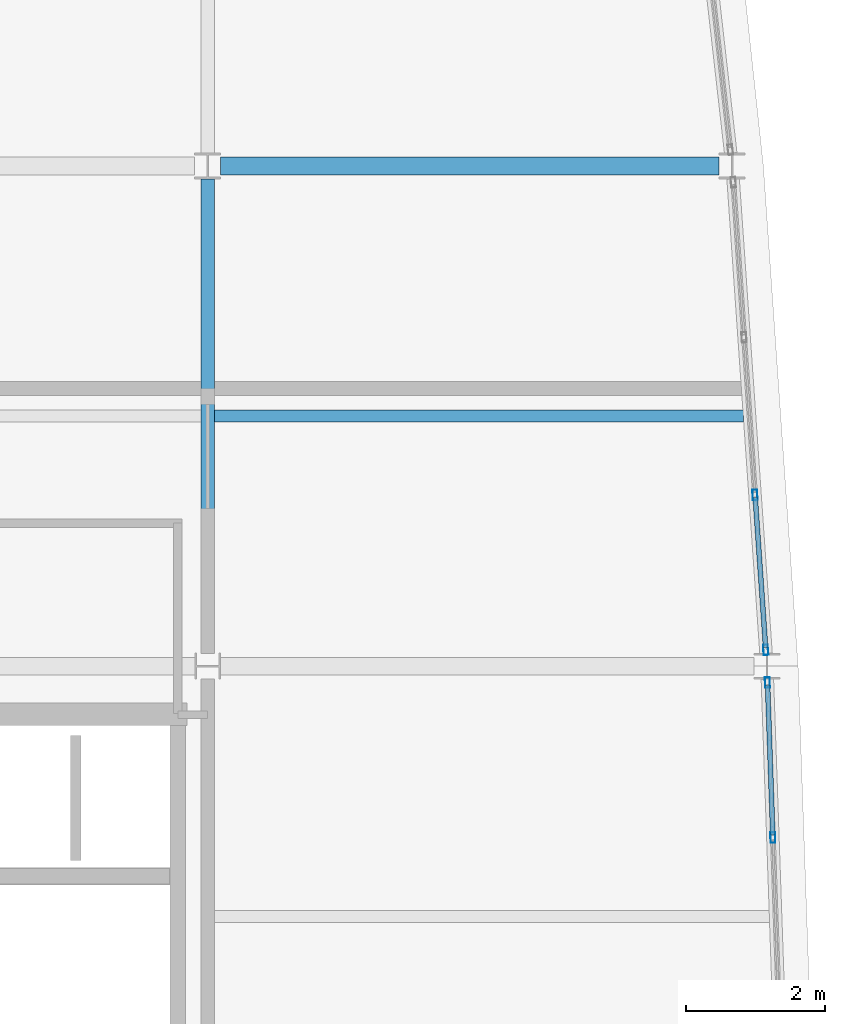
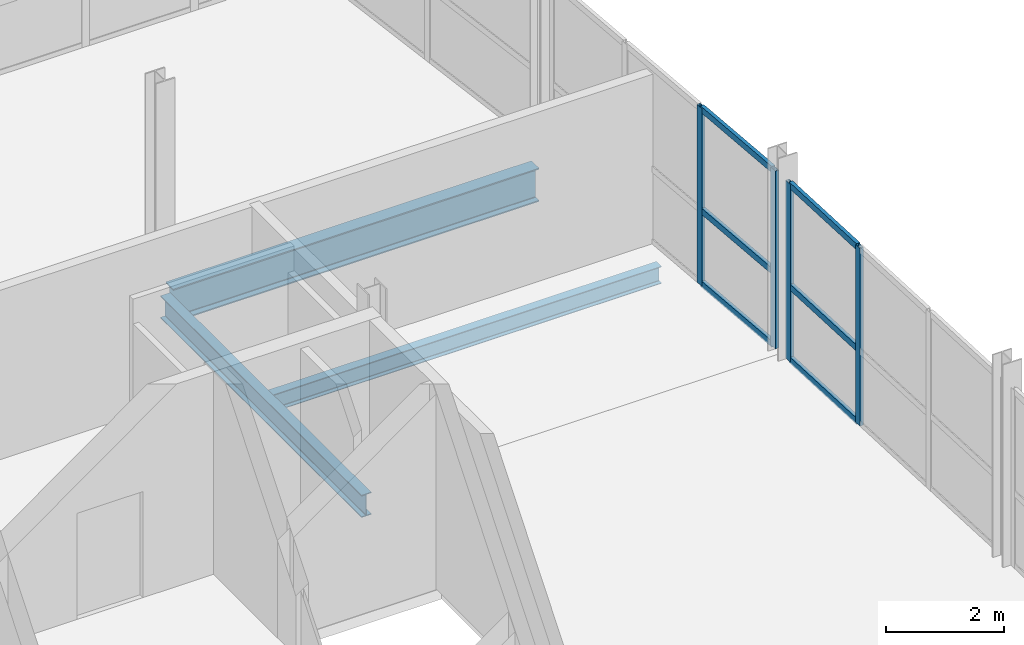
# One storey, part 8 of 20: 10 members, 3 beams, 2 elements without a shape of their own.
"""IFC4 building model written with IfcOpenShell, lengths in metres."""

from ifc_helpers import new_model, si_unit, direction, frame, origin, origin_2d, place, context, subcontext, project, spatial, hollow_rectangle, i_section, extrude, material, layer, layer_set, material_profile, profile_set, type_object, element, aggregate, save


model = new_model("IFC4")

# Units and contexts
model_context = context("Model", 3, precision=1e-05, world=origin(), true_north=direction((0.0, 1.0)))
body_context = subcontext(model_context, "Body", "Model", "MODEL_VIEW")
ifc_project = project(units=[si_unit("LENGTHUNIT", "METRE"), si_unit("AREAUNIT", "SQUARE_METRE"), si_unit("VOLUMEUNIT", "CUBIC_METRE"), si_unit("PLANEANGLEUNIT", "RADIAN"), si_unit("MASSUNIT", "GRAM", prefix="KILO")], contexts=[model_context])

# Site, building, storey
site_placement = place(None, origin())
site = spatial("IfcSite", under=ifc_project, at=site_placement, CompositionType="ELEMENT")
building_placement = place(site_placement, origin())
building = spatial("IfcBuilding", under=site, at=building_placement, Name="Quillay Park Conservatory", CompositionType="ELEMENT")
storey_placement = place(building_placement, frame((0.0, 0.0, 30.89990234375)))
storey = spatial("IfcBuildingStorey", under=building, at=storey_placement, Name="L07", CompositionType="ELEMENT", Elevation=30.89990234375)

# Beam
ifc_material_1 = material(Name="Steel ASTM A992 Grade 50", Category="steel")
ifc_material_profile_1 = material_profile(ifc_material_1, i_section(OverallWidth=0.172119140625, OverallDepth=0.35791015625, WebThickness=0.0078125, FlangeThickness=0.01318359375, FilletRadius=0.010986328125, at=origin_2d()), Name="W360x57")
ifc_profile_set_1 = profile_set([ifc_material_profile_1], Name="Steel ASTM A992 Grade 50")
beam_type_1 = type_object("IfcBeamType", Name="COMPOSITE FLOOR JOIST W360 X57", PredefinedType="JOIST", material=ifc_profile_set_1)
beam_1_placement = place(storey_placement, frame((19.845947265625, 103.199951171875, -0.39892578125), z_axis=(1.0, 0.0, 0.0), x_axis=(0.0, 1.0, 0.0)))
element("IfcBeam", 1, at=beam_1_placement, inside=storey, type_object=beam_type_1, Name="L07 beam BM-J-0575", PredefinedType="JOIST", context=body_context, shape_type="SweptSolid", body=[
    extrude(i_section(OverallWidth=0.172119140625, OverallDepth=0.35791015625, WebThickness=0.0078125, FlangeThickness=0.01318359375, FilletRadius=0.010986328125, at=origin_2d()), origin(), (0.0, 0.0, 1.0), 7.614013671875),
])

# Curtain wall, members
ifc_material_2 = material(Name="Thermally Broken Anodised Aluminium 6063-T6", Category="aluminium")
ifc_layer = layer(ifc_material_2, 0.199951171875)
ifc_layer_set = layer_set([ifc_layer], Name="UNITISED CURTAIN WALL HERBARIUM (Thermally Broken Anodised Aluminium 6063-T6)")
curtain_wall_type = type_object("IfcCurtainWallType", Name="UNITISED CURTAIN WALL HERBARIUM", PredefinedType="USERDEFINED", material=ifc_layer_set)
curtain_wall_1_placement = place(storey_placement, origin())
curtain_wall_1 = element("IfcCurtainWall", 2, at=curtain_wall_1_placement, inside=storey, type_object=curtain_wall_type, Name="L07 Unitised Curtain Wall 072", ObjectType="UNITISED CURTAIN WALL", PredefinedType="USERDEFINED")
ifc_material_3 = material(Name="Thermally Broken Anodised Aluminium 6063-T6", Category="aluminium")
ifc_material_profile_2 = material_profile(ifc_material_3, hollow_rectangle(XDim=0.070068359375, YDim=0.14990234375, WallThickness=0.00341796875, at=origin_2d()), Name="AL70x150x3.5")
ifc_profile_set_2 = profile_set([ifc_material_profile_2], Name="Thermally Broken Anodised Aluminium 6063-T6")
member_type_1 = type_object("IfcMemberType", Name="CURTAIN WALL MULLION 70 X150", PredefinedType="MULLION", material=ifc_profile_set_2)
member_1_placement = place(storey_placement, frame((27.80810546875, 99.365234375, 0.0), z_axis=(0.0, 0.0, 1.0), x_axis=(0.999397310446, 0.034713338537, 0.0)))
member_1 = element("IfcMember", 3, at=member_1_placement, type_object=member_type_1, Name="CW-T2 mullion 1", PredefinedType="MULLION", context=body_context, shape_type="SweptSolid", body=[
    extrude(hollow_rectangle(XDim=0.070068359375, YDim=0.14990234375, WallThickness=0.00341796875, at=origin_2d()), origin(), (0.0, 0.0, 1.0), 3.68701171875),
])
member_2_placement = place(storey_placement, frame((27.8857421875, 97.13330078125, 0.0), z_axis=(0.0, 0.0, 1.0), x_axis=(0.999397310446, 0.034713338537, 0.0)))
member_2 = element("IfcMember", 4, at=member_2_placement, type_object=member_type_1, Name="CW-T2 mullion 2", PredefinedType="MULLION", context=body_context, shape_type="SweptSolid", body=[
    extrude(hollow_rectangle(XDim=0.070068359375, YDim=0.14990234375, WallThickness=0.00341796875, at=origin_2d()), origin(), (0.0, 0.0, 1.0), 3.68701171875),
])

curtain_wall_2_placement = place(storey_placement, origin())
curtain_wall_2 = element("IfcCurtainWall", 5, at=curtain_wall_2_placement, inside=storey, type_object=curtain_wall_type, Name="L07 Unitised Curtain Wall 073", ObjectType="UNITISED CURTAIN WALL", PredefinedType="USERDEFINED")
member_3_placement = place(storey_placement, frame((27.628662109375, 102.06640625, 0.0), z_axis=(0.0, 0.0, 1.0), x_axis=(0.99759835015, 0.069264217159, 0.0)))
member_3 = element("IfcMember", 6, at=member_3_placement, type_object=member_type_1, Name="CW-T2 mullion 3", PredefinedType="MULLION", context=body_context, shape_type="SweptSolid", body=[
    extrude(hollow_rectangle(XDim=0.070068359375, YDim=0.14990234375, WallThickness=0.00341796875, at=origin_2d()), origin(), (0.0, 0.0, 1.0), 3.68701171875),
])
member_4_placement = place(storey_placement, frame((27.78369140625, 99.83447265625, 0.0), z_axis=(0.0, 0.0, 1.0), x_axis=(0.99759835015, 0.069264217159, 0.0)))
member_4 = element("IfcMember", 7, at=member_4_placement, type_object=member_type_1, Name="CW-T2 mullion 4", PredefinedType="MULLION", context=body_context, shape_type="SweptSolid", body=[
    extrude(hollow_rectangle(XDim=0.070068359375, YDim=0.14990234375, WallThickness=0.00341796875, at=origin_2d()), origin(), (0.0, 0.0, 1.0), 3.68701171875),
])

# Member
ifc_material_4 = material(Name="Thermally Broken Anodised Aluminium 6063-T6", Category="aluminium")
ifc_material_profile_3 = material_profile(ifc_material_4, hollow_rectangle(XDim=0.070068359375, YDim=0.1298828125, WallThickness=0.003173828125, at=origin_2d()), Name="AL70x130x3.2")
ifc_profile_set_3 = profile_set([ifc_material_profile_3], Name="Thermally Broken Anodised Aluminium 6063-T6")
member_type_2 = type_object("IfcMemberType", Name="CURTAIN WALL TRANSOM 70 X130", PredefinedType="USERDEFINED", material=ifc_profile_set_3)
member_5_placement = place(storey_placement, frame((27.809326171875, 99.330078125, 0.03515625), z_axis=(0.034765508592, -0.999395496994, 0.0), x_axis=(0.999395496994, 0.034765508592, 0.0)))
member_5 = element("IfcMember", 8, at=member_5_placement, type_object=member_type_2, Name="CW-T2 transom 1.1", ObjectType="TRANSOM", PredefinedType="USERDEFINED", context=body_context, shape_type="SweptSolid", body=[
    extrude(hollow_rectangle(XDim=0.070068359375, YDim=0.1298828125, WallThickness=0.003173828125, at=origin_2d()), origin(), (0.0, 0.0, 1.0), 2.162841796875),
])

member_6_placement = place(storey_placement, frame((27.809326171875, 99.330078125, 1.548583984375), z_axis=(0.034765508592, -0.999395496994, 0.0), x_axis=(0.999395496994, 0.034765508592, 0.0)))
member_6 = element("IfcMember", 9, at=member_6_placement, type_object=member_type_2, Name="CW-T2 transom 1.2", ObjectType="TRANSOM", PredefinedType="USERDEFINED", context=body_context, shape_type="SweptSolid", body=[
    extrude(hollow_rectangle(XDim=0.070068359375, YDim=0.1298828125, WallThickness=0.003173828125, at=origin_2d()), origin(), (0.0, 0.0, 1.0), 2.162841796875),
])

member_7_placement = place(storey_placement, frame((27.809326171875, 99.330078125, 3.652099609375), z_axis=(0.034765508592, -0.999395496994, 0.0), x_axis=(0.999395496994, 0.034765508592, 0.0)))
member_7 = element("IfcMember", 10, at=member_7_placement, type_object=member_type_2, Name="CW-T2 transom 1.3", ObjectType="TRANSOM", PredefinedType="USERDEFINED", context=body_context, shape_type="SweptSolid", body=[
    extrude(hollow_rectangle(XDim=0.070068359375, YDim=0.1298828125, WallThickness=0.003173828125, at=origin_2d()), origin(), (0.0, 0.0, 1.0), 2.162841796875),
])

aggregate(curtain_wall_1, [member_1, member_2, member_5, member_6, member_7])

member_8_placement = place(storey_placement, frame((27.631103515625, 102.031494140625, 0.03515625), z_axis=(0.069277598678, -0.997597420968, 0.0), x_axis=(0.997597420968, 0.069277598678, 0.0)))
member_8 = element("IfcMember", 11, at=member_8_placement, type_object=member_type_2, Name="CW-T2 transom 3.1", ObjectType="TRANSOM", PredefinedType="USERDEFINED", context=body_context, shape_type="SweptSolid", body=[
    extrude(hollow_rectangle(XDim=0.070068359375, YDim=0.1298828125, WallThickness=0.003173828125, at=origin_2d()), origin(), (0.0, 0.0, 1.0), 2.167236328125),
])

member_9_placement = place(storey_placement, frame((27.631103515625, 102.031494140625, 1.548583984375), z_axis=(0.069277598678, -0.997597420968, 0.0), x_axis=(0.997597420968, 0.069277598678, 0.0)))
member_9 = element("IfcMember", 12, at=member_9_placement, type_object=member_type_2, Name="CW-T2 transom 3.2", ObjectType="TRANSOM", PredefinedType="USERDEFINED", context=body_context, shape_type="SweptSolid", body=[
    extrude(hollow_rectangle(XDim=0.070068359375, YDim=0.1298828125, WallThickness=0.003173828125, at=origin_2d()), origin(), (0.0, 0.0, 1.0), 2.167236328125),
])

member_10_placement = place(storey_placement, frame((27.631103515625, 102.031494140625, 3.652099609375), z_axis=(0.069277598678, -0.997597420968, 0.0), x_axis=(0.997597420968, 0.069277598678, 0.0)))
member_10 = element("IfcMember", 13, at=member_10_placement, type_object=member_type_2, Name="CW-T2 transom 3.3", ObjectType="TRANSOM", PredefinedType="USERDEFINED", context=body_context, shape_type="SweptSolid", body=[
    extrude(hollow_rectangle(XDim=0.070068359375, YDim=0.1298828125, WallThickness=0.003173828125, at=origin_2d()), origin(), (0.0, 0.0, 1.0), 2.167236328125),
])

aggregate(curtain_wall_2, [member_3, member_4, member_8, member_9, member_10])

# Beams
ifc_material_5 = material(Name="Steel ASTM A992 Grade 50", Category="steel")
ifc_material_profile_4 = material_profile(ifc_material_5, i_section(OverallWidth=0.19189453125, OverallDepth=0.462890625, WebThickness=0.010498046875, FlangeThickness=0.017578125, FilletRadius=0.012939453125, at=origin_2d()), Name="W460x89")
ifc_profile_set_4 = profile_set([ifc_material_profile_4], Name="Steel ASTM A992 Grade 50")
beam_type_2 = type_object("IfcBeamType", Name="PRIMARY FLOOR GIRDER W460 X89", PredefinedType="BEAM", material=ifc_profile_set_4)
beam_2_placement = place(storey_placement, frame((19.75, 99.787109375, -0.451416015625), z_axis=(0.0, 1.0, 0.0), x_axis=(-1.0, 0.0, 0.0)))
element("IfcBeam", 14, at=beam_2_placement, inside=storey, type_object=beam_type_2, Name="L07 beam BM-GNS-0573", PredefinedType="BEAM", context=body_context, shape_type="SweptSolid", body=[
    extrude(i_section(OverallWidth=0.19189453125, OverallDepth=0.462890625, WebThickness=0.010498046875, FlangeThickness=0.017578125, FilletRadius=0.012939453125, at=origin_2d()), origin(), (0.0, 0.0, 1.0), 6.826904296875),
])
ifc_material_6 = material(Name="Steel ASTM A992 Grade 50", Category="steel")
ifc_material_profile_5 = material_profile(ifc_material_6, i_section(OverallWidth=0.256103515625, OverallDepth=0.693115234375, WebThickness=0.014404296875, FlangeThickness=0.023681640625, FilletRadius=0.01611328125, at=origin_2d()), Name="W690x170")
ifc_profile_set_5 = profile_set([ifc_material_profile_5], Name="Steel ASTM A992 Grade 50")
beam_type_3 = type_object("IfcBeamType", Name="PRIMARY FLOOR GIRDER W690 X170", PredefinedType="BEAM", material=ifc_profile_set_5)
beam_3_placement = place(storey_placement, frame((19.93701171875, 106.800048828125, -0.56640625), z_axis=(1.0, 0.0, 0.0), x_axis=(0.0, 1.0, 0.0)))
element("IfcBeam", 15, at=beam_3_placement, inside=storey, type_object=beam_type_3, Name="L07 beam BM-HB-0534", PredefinedType="BEAM", context=body_context, shape_type="SweptSolid", body=[
    extrude(i_section(OverallWidth=0.256103515625, OverallDepth=0.693115234375, WebThickness=0.014404296875, FlangeThickness=0.023681640625, FilletRadius=0.01611328125, at=origin_2d()), origin(), (0.0, 0.0, 1.0), 7.176025390625),
])

save(model, "model.ifc")
